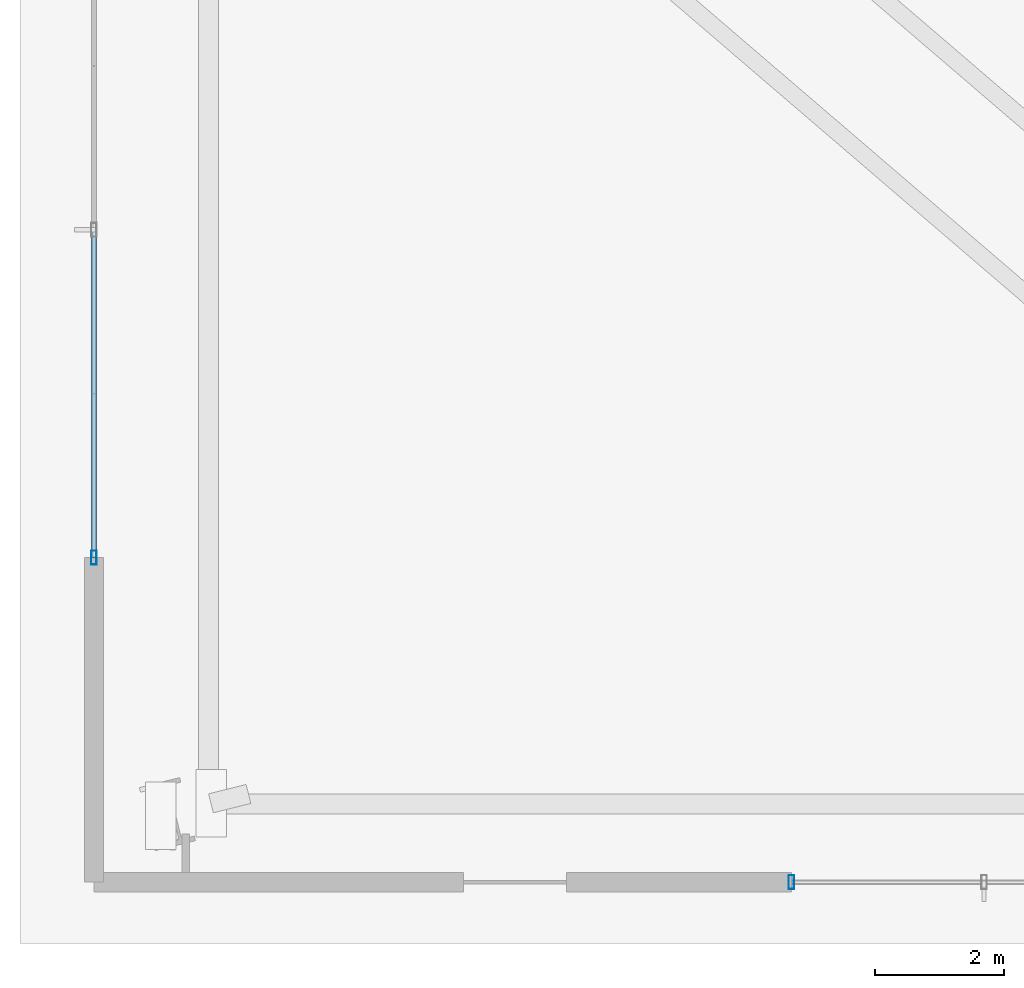
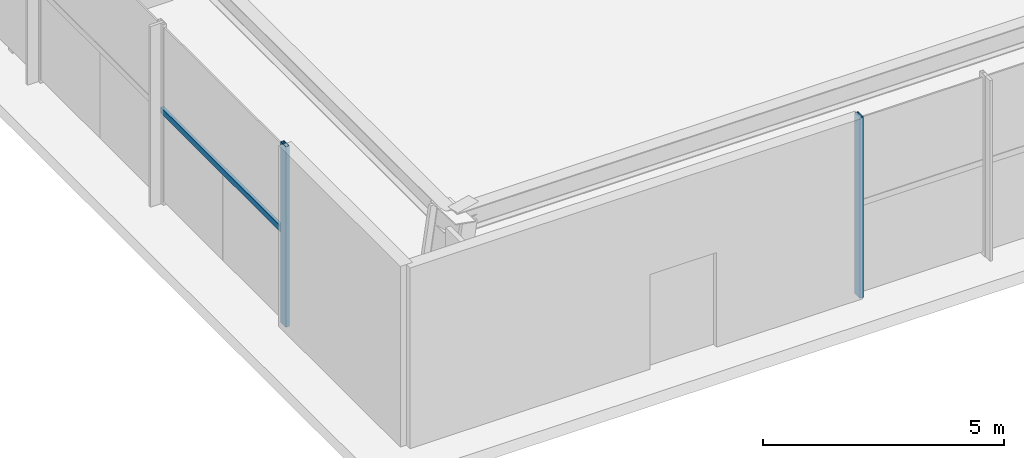
# One storey, part 2 of 31: 3 members, 2 elements without a shape of their own.
"""IFC4 building model written with IfcOpenShell, lengths in metres."""

from ifc_helpers import new_model, si_unit, direction, frame, origin, origin_2d, place, context, subcontext, project, spatial, hollow_rectangle, extrude, source, transform, mapped, material, material_profile, profile_set, type_object, type_shapes, element, aggregate, save


model = new_model("IFC4")

# Units and contexts
model_context = context("Model", 3, precision=1e-05, world=origin(), true_north=direction((0.0, 1.0)))
body_context = subcontext(model_context, "Body", "Model", "MODEL_VIEW")
ifc_project = project(units=[si_unit("LENGTHUNIT", "METRE"), si_unit("AREAUNIT", "SQUARE_METRE"), si_unit("VOLUMEUNIT", "CUBIC_METRE"), si_unit("PLANEANGLEUNIT", "RADIAN"), si_unit("MASSUNIT", "GRAM", prefix="KILO")], contexts=[model_context])

# Site, building, storey
site_placement = place(None, origin())
site = spatial("IfcSite", under=ifc_project, at=site_placement, CompositionType="ELEMENT")
building_placement = place(site_placement, origin())
building = spatial("IfcBuilding", under=site, at=building_placement, Name="Astriad Promenade Condominiums", CompositionType="ELEMENT")
storey_placement = place(building_placement, origin())
storey = spatial("IfcBuildingStorey", under=building, at=storey_placement, Name="L00", CompositionType="ELEMENT", Elevation=0.0)

# Curtain wall, member
ifc_material_1 = material(Name="Anodised aluminium Black Dark Glass Unitised", Category="aluminium")
curtain_wall_type = type_object("IfcCurtainWallType", Name="CW-POD-DARK", PredefinedType="USERDEFINED", material=ifc_material_1)
curtain_wall_1_placement = place(storey_placement, origin())
curtain_wall_1 = element("IfcCurtainWall", 1, at=curtain_wall_1_placement, inside=storey, type_object=curtain_wall_type, Name="CW-L00-W", ObjectType="UNITISED_CURTAIN_WALL", PredefinedType="USERDEFINED")
ifc_material_2 = material(Name="Anodised aluminium 6063-T6 Black", Category="aluminium")
ifc_material_profile_1 = material_profile(ifc_material_2, hollow_rectangle(XDim=0.0849609375, YDim=0.219970703125, WallThickness=0.0048828125, at=origin_2d()), Name="ALU-MUL-85X220")
ifc_profile_set_1 = profile_set([ifc_material_profile_1], Name="Anodised aluminium 6063-T6 Black")
member_type_1 = type_object("IfcMemberType", Name="MUL-ALU-MUL-85X220", PredefinedType="MULLION", material=ifc_profile_set_1)
shared_shape_1 = source(origin(), body_context, "Body", "SweptSolid", [
    extrude(hollow_rectangle(XDim=0.0849609375, YDim=0.219970703125, WallThickness=0.0048828125, at=origin_2d()), origin(), (0.0, 0.0, 1.0), 4.580078125),
])
type_shapes(member_type_1, [shared_shape_1])
member_1_placement = place(storey_placement, frame((1.14990234375, 6.0, 0.0), z_axis=(0.0, 0.0, 1.0), x_axis=(1.0, 0.0, 0.0)))
member_1 = element("IfcMember", 2, at=member_1_placement, type_object=member_type_1, Name="CW-L00-W-MUL-00", PredefinedType="MULLION", context=body_context, shape_type="MappedRepresentation", body=[
    mapped(shared_shape_1, transform((0.0, 0.0, 0.0), scale=1.0)),
])

curtain_wall_2_placement = place(storey_placement, origin())
curtain_wall_2 = element("IfcCurtainWall", 3, at=curtain_wall_2_placement, inside=storey, type_object=curtain_wall_type, Name="CW-L00-SW", ObjectType="UNITISED_CURTAIN_WALL", PredefinedType="USERDEFINED")
member_2_placement = place(storey_placement, frame((12.0, 0.949951171875, 0.0), z_axis=(0.0, 0.0, 1.0), x_axis=(1.0, 0.0, 0.0)))
member_2 = element("IfcMember", 4, at=member_2_placement, type_object=member_type_1, Name="CW-L00-SW-MUL-02", PredefinedType="MULLION", context=body_context, shape_type="MappedRepresentation", body=[
    mapped(shared_shape_1, transform((0.0, 0.0, 0.0), scale=1.0)),
])
aggregate(curtain_wall_2, [member_2])

# Member
ifc_material_profile_2 = material_profile(ifc_material_2, hollow_rectangle(XDim=0.074951171875, YDim=0.14990234375, WallThickness=0.004150390625, at=origin_2d()), Name="ALU-TRN-75X150")
ifc_profile_set_2 = profile_set([ifc_material_profile_2], Name="Anodised aluminium 6063-T6 Black")
member_type_2 = type_object("IfcMemberType", Name="TRN-ALU-TRN-75X150", PredefinedType="USERDEFINED", material=ifc_profile_set_2)
shared_shape_2 = source(origin(), body_context, "Body", "SweptSolid", [
    extrude(hollow_rectangle(XDim=0.074951171875, YDim=0.14990234375, WallThickness=0.004150390625, at=origin_2d()), origin(), (0.0, 0.0, 1.0), 5.10009765625),
])
type_shapes(member_type_2, [shared_shape_2])
member_3_placement = place(storey_placement, frame((1.14990234375, 6.0, 2.35009765625), z_axis=(0.0, 1.0, 0.0), x_axis=(-1.0, 0.0, 0.0)))
member_3 = element("IfcMember", 5, at=member_3_placement, type_object=member_type_2, Name="CW-L00-W-TRN-00-0", ObjectType="TRANSOM", PredefinedType="USERDEFINED", context=body_context, shape_type="MappedRepresentation", body=[
    mapped(shared_shape_2, transform((0.0, 0.0, 0.0), scale=1.0)),
])

aggregate(curtain_wall_1, [member_1, member_3])

save(model, "model.ifc")
